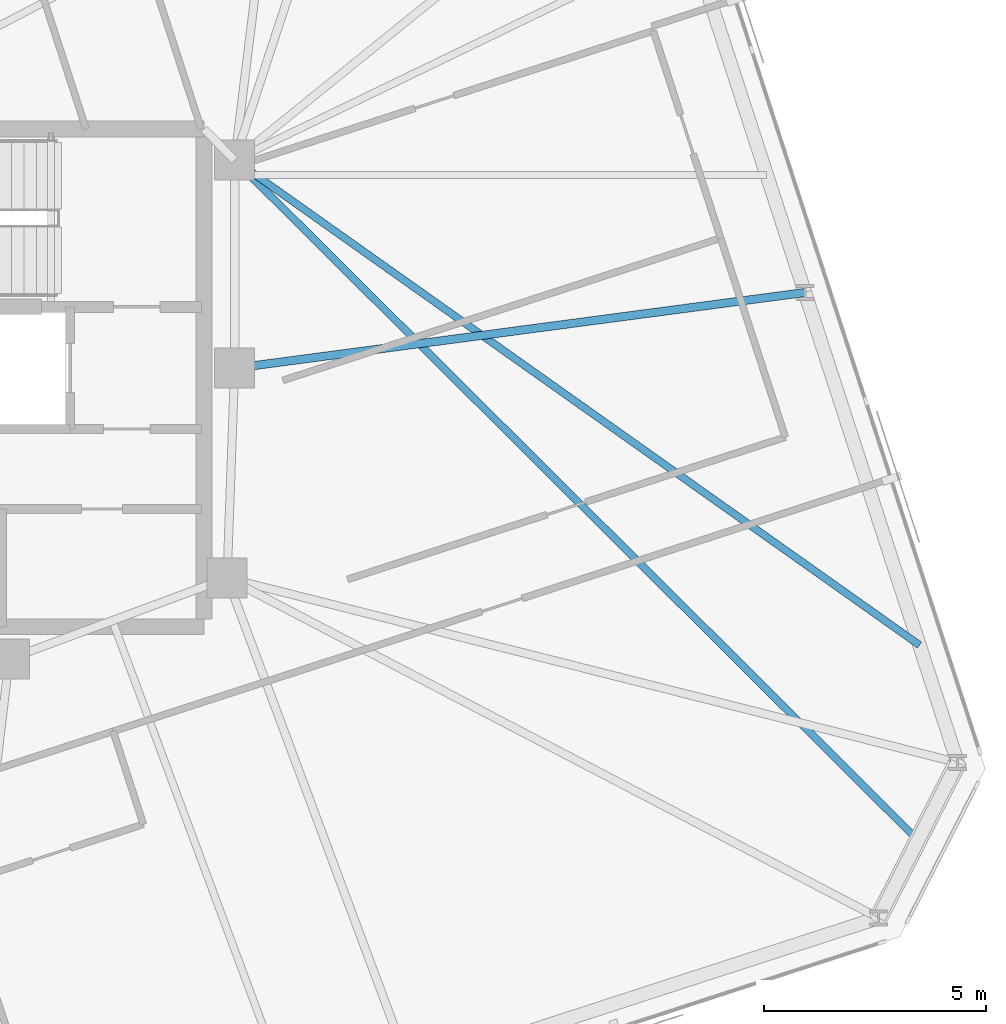
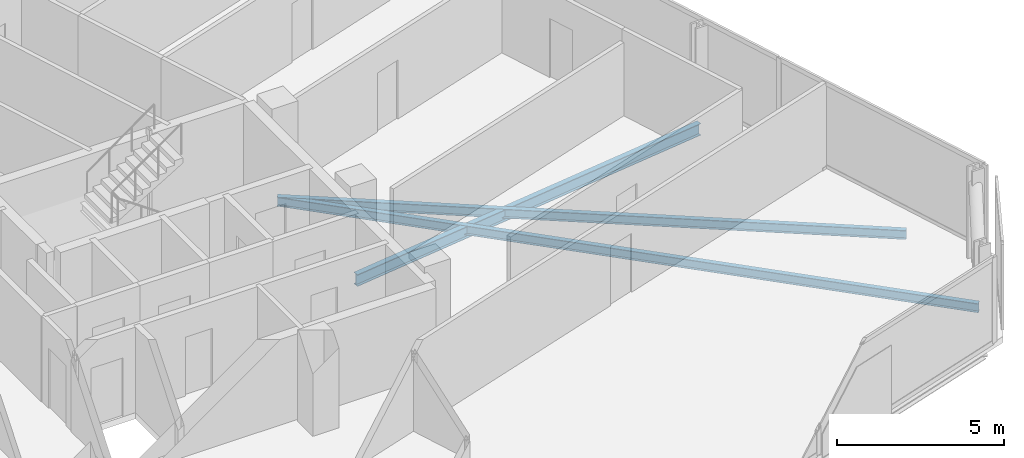
# One storey, part 8 of 20: 3 beams.
"""IFC4 building model written with IfcOpenShell, lengths in metres."""

import ifcopenshell
import ifcopenshell.guid

model = None  # the IFC model being written
_history = None  # IfcOwnerHistory: only IFC2X3 demands one
_inside = {}  # id of a spatial element -> (the spatial element, [elements in it])
_under = {}  # id of a project, library or spatial element -> (it, [spatial elements below it])
_declared = {}  # id of a project -> (the project, [libraries it declares])
_typed = {}  # id of a type object -> (the type object, [elements of that type])
_made_of = {}  # id of a material, layer set ... -> (it, [elements and type objects made of it])


def new_model(schema):
    """Start an empty IFC model of exactly this schema.

    Asked for "IFC4X3", IfcOpenShell would pick the latest addendum, in which some entities
    have other attributes; the version numbers below select the first issue.
    IFC2X3 requires an IfcOwnerHistory on every rooted entity: one is made here for all.
    """
    global model, _history
    if schema == "IFC4X3":
        model = ifcopenshell.file(schema_version=(4, 3, 0, 0))
    else:
        model = ifcopenshell.file(schema=schema)
    _inside.clear()
    _under.clear()
    _declared.clear()
    _typed.clear()
    _made_of.clear()
    _history = None
    if model.schema == "IFC2X3":
        org = make("IfcOrganization", Name="unknown")
        user = make(
            "IfcPersonAndOrganization",
            ThePerson=make("IfcPerson", FamilyName="unknown"),
            TheOrganization=org,
        )
        app = make(
            "IfcApplication",
            ApplicationDeveloper=org,
            Version="unknown",
            ApplicationFullName="unknown",
            ApplicationIdentifier="unknown",
        )
        _history = make(
            "IfcOwnerHistory",
            OwningUser=user,
            OwningApplication=app,
            ChangeAction="ADDED",
            CreationDate=0,
        )
    return model


def make(cls, **values):
    """One entity of the class cls with the attributes given. An attribute that is None is left unset."""
    return model.create_entity(
        cls, **{name: value for name, value in values.items() if value is not None}
    )


def rooted(cls, **values):
    """An entity with a GlobalId (a new one), such as an element, a storey or a relation."""
    return make(cls, GlobalId=ifcopenshell.guid.new(), OwnerHistory=_history, **values)


def si_unit(unit_type, name, prefix=None):
    """IfcSIUnit, for example si_unit("LENGTHUNIT", "METRE", prefix="MILLI")."""
    return make("IfcSIUnit", UnitType=unit_type, Prefix=prefix, Name=name)


def assignment(units):
    """IfcUnitAssignment: the units of a project."""
    return None if units is None else make("IfcUnitAssignment", Units=units)


def point(xyz):
    """IfcCartesianPoint."""
    return None if xyz is None else make("IfcCartesianPoint", Coordinates=xyz)


def direction(xyz):
    """IfcDirection."""
    return None if xyz is None else make("IfcDirection", DirectionRatios=xyz)


def frame(location, z_axis=None, x_axis=None):
    """IfcAxis2Placement3D, a coordinate frame: its origin and axes. An axis left out is left unset."""
    return make(
        "IfcAxis2Placement3D",
        Location=point(location),
        Axis=direction(z_axis),
        RefDirection=direction(x_axis),
    )


def frame_2d(location, x_axis=None):
    """IfcAxis2Placement2D, a coordinate frame in the plane: its origin and x axis."""
    return make(
        "IfcAxis2Placement2D", Location=point(location), RefDirection=direction(x_axis)
    )


def origin():
    """The frame at (0, 0, 0) with its axes left unset."""
    return frame((0.0, 0.0, 0.0))


def origin_2d():
    """The frame at (0, 0) in the plane with its x axis left unset."""
    return frame_2d((0.0, 0.0))


def place(relative_to, where):
    """IfcLocalPlacement: puts the frame where relative to a parent placement (None: the world)."""
    return make(
        "IfcLocalPlacement", PlacementRelTo=relative_to, RelativePlacement=where
    )


def context(
    kind, dimensions, precision=None, world=None, true_north=None, identifier=None
):
    """IfcGeometricRepresentationContext, for example the 3D "Model" context."""
    return make(
        "IfcGeometricRepresentationContext",
        ContextIdentifier=identifier,
        ContextType=kind,
        CoordinateSpaceDimension=dimensions,
        Precision=precision,
        WorldCoordinateSystem=world,
        TrueNorth=true_north,
    )


def subcontext(parent, identifier, kind, view, scale=None):
    """IfcGeometricRepresentationSubContext, for example "Body" below "Model"."""
    return make(
        "IfcGeometricRepresentationSubContext",
        ContextIdentifier=identifier,
        ContextType=kind,
        ParentContext=parent,
        TargetScale=scale,
        TargetView=view,
    )


def project(units=None, contexts=None):
    """IfcProject with its units and contexts."""
    return rooted(
        "IfcProject",
        Name="project",
        RepresentationContexts=contexts,
        UnitsInContext=assignment(units),
    )


def spatial(cls, under=None, at=None, **own):
    """A site, building, storey or space (cls), placed at a placement, below another one or the project."""
    s = rooted(cls, ObjectPlacement=at, **own)
    if under is not None:
        _under.setdefault(under.id(), (under, []))[1].append(s)
    return s


def profile(cls, at=None, kind="AREA", **sizes):
    """A parametric profile (cls). Its sizes go by their IFC names, for example OverallWidth=200.0."""
    return make(cls, ProfileType=kind, Position=at, **sizes)


def i_section(**sizes):
    """IfcIShapeProfileDef."""
    return profile("IfcIShapeProfileDef", **sizes)


def extrude(swept, where, along, depth):
    """IfcExtrudedAreaSolid: the profile swept, set in the frame where, extruded along a direction by depth."""
    return make(
        "IfcExtrudedAreaSolid",
        SweptArea=swept,
        Position=where,
        ExtrudedDirection=direction(along),
        Depth=depth,
    )


def shape(context_of_items, identifier, shape_type, items):
    """IfcShapeRepresentation: the items that make up one representation, for example the "Body"."""
    return make(
        "IfcShapeRepresentation",
        ContextOfItems=context_of_items,
        RepresentationIdentifier=identifier,
        RepresentationType=shape_type,
        Items=items,
    )


def material(Name=None, Category=None):
    """IfcMaterial."""
    return make("IfcMaterial", Name=Name, Category=Category)


def material_profile(
    of_material, cross_section, Name=None, Category=None, Priority=None
):
    """IfcMaterialProfile: a cross section and its material."""
    return make(
        "IfcMaterialProfile",
        Name=Name,
        Material=of_material,
        Profile=cross_section,
        Priority=Priority,
        Category=Category,
    )


def profile_set(profiles, Name=None, composite=None):
    """IfcMaterialProfileSet."""
    return make(
        "IfcMaterialProfileSet",
        Name=Name,
        MaterialProfiles=profiles,
        CompositeProfile=composite,
    )


def made_of(thing, what):
    """Note that an element or type object is made of a material, layer set ...; save() writes the relation."""
    if what is not None:
        _made_of.setdefault(what.id(), (what, []))[1].append(thing)
    return thing


def type_object(cls, material=None, **own):
    """A type object (cls), such as IfcWallType, which elements share."""
    return made_of(rooted(cls, **own), material)


def element(
    cls,
    number,
    at=None,
    inside=None,
    cuts=None,
    type_object=None,
    material=None,
    context=None,
    identifier="Body",
    shape_type=None,
    held_by="IfcProductDefinitionShape",
    body=None,
    shapes=None,
    **own,
):
    """One element of the class cls, such as IfcWall. Its Tag is "e" and its number.

    at: its placement. inside: the storey or other place that contains it. cuts: it is an
    opening in that element (IfcRelVoidsElement). A single representation is given by context,
    identifier, shape_type and body (its items); several are given by shapes. held_by: the class
    of the entity that holds the representations. save() writes the other relations.
    """
    e = rooted(cls, Tag="e%d" % number, ObjectPlacement=at, **own)
    if body is not None:
        shapes = [shape(context, identifier, shape_type, body)]
    if shapes is not None:
        e.Representation = make(held_by, Representations=shapes)
    if inside is not None:
        _inside.setdefault(inside.id(), (inside, []))[1].append(e)
    if cuts is not None:
        rooted(
            "IfcRelVoidsElement", RelatingBuildingElement=cuts, RelatedOpeningElement=e
        )
    if type_object is not None:
        _typed.setdefault(type_object.id(), (type_object, []))[1].append(e)
    return made_of(e, material)


def aggregate(whole, parts):
    """IfcRelAggregates: a whole, such as a stair, and the parts it consists of."""
    return rooted("IfcRelAggregates", RelatingObject=whole, RelatedObjects=parts)


def save(model, path):
    """Write the relations noted so far, then the file.

    IfcRelAggregates (storeys below a building ...), IfcRelContainedInSpatialStructure (elements
    in a storey), IfcRelDefinesByType, IfcRelAssociatesMaterial and IfcRelDeclares: one each for
    every whole, place, type object, material and project.
    """
    for whole, parts in _under.values():
        aggregate(whole, parts)
    for where, things in _inside.values():
        rooted(
            "IfcRelContainedInSpatialStructure",
            RelatedElements=things,
            RelatingStructure=where,
        )
    for kind, things in _typed.values():
        rooted("IfcRelDefinesByType", RelatedObjects=things, RelatingType=kind)
    for what, things in _made_of.values():
        rooted("IfcRelAssociatesMaterial", RelatedObjects=things, RelatingMaterial=what)
    for by, libraries in _declared.values():
        rooted("IfcRelDeclares", RelatingContext=by, RelatedDefinitions=libraries)
    model.write(path)


model = new_model("IFC4")

# Units and contexts
model_context = context("Model", 3, precision=1e-05, world=origin(), true_north=direction((0.0, 1.0)))
body_context = subcontext(model_context, "Body", "Model", "MODEL_VIEW")
ifc_project = project(units=[si_unit("LENGTHUNIT", "METRE"), si_unit("AREAUNIT", "SQUARE_METRE"), si_unit("VOLUMEUNIT", "CUBIC_METRE"), si_unit("PLANEANGLEUNIT", "RADIAN"), si_unit("MASSUNIT", "GRAM", prefix="KILO")], contexts=[model_context])

# Site, building, storey
site_placement = place(None, origin())
site = spatial("IfcSite", under=ifc_project, at=site_placement, CompositionType="ELEMENT")
building_placement = place(site_placement, origin())
building = spatial("IfcBuilding", under=site, at=building_placement, Name="Menara Jurai Vektor", CompositionType="ELEMENT")
storey_placement = place(building_placement, frame((0.0, 0.0, 244.39990234375)))
storey = spatial("IfcBuildingStorey", under=building, at=storey_placement, Name="L65", CompositionType="ELEMENT", Elevation=244.39990234375)

# Beams
ifc_material = material(Name="Steel S355", Category="steel")
ifc_material_profile_1 = material_profile(ifc_material, i_section(OverallWidth=0.18505859375, OverallDepth=0.429931640625, WebThickness=0.010986328125, FlangeThickness=0.01806640625, at=origin_2d()), Name="PG 430x185x76")
ifc_profile_set_1 = profile_set([ifc_material_profile_1], Name="Steel S355")
beam_type_1 = type_object("IfcBeamType", Name="STR-BM-430", PredefinedType="BEAM", material=ifc_profile_set_1)
beam_1_placement = place(storey_placement, frame((28.07763671875, 1.92236328125, -0.43994140625), z_axis=(-0.99130829243, -0.131559375797, 0.0), x_axis=(0.131559375797, -0.99130829243, 0.0)))
element("IfcBeam", 1, at=beam_1_placement, inside=storey, type_object=beam_type_1, Name="Radial Floor Girder L65-E2", PredefinedType="BEAM", context=body_context, shape_type="SweptSolid", body=[
    extrude(i_section(OverallWidth=0.18505859375, OverallDepth=0.429931640625, WebThickness=0.010986328125, FlangeThickness=0.01806640625, at=origin_2d()), origin(), (0.0, 0.0, 1.0), 12.940185546875),
])
ifc_material_profile_2 = material_profile(ifc_material, i_section(OverallWidth=0.1650390625, OverallDepth=0.330078125, WebThickness=0.009033203125, FlangeThickness=0.013916015625, at=origin_2d()), Name="PG 330x165x46")
ifc_profile_set_2 = profile_set([ifc_material_profile_2], Name="Steel S355")
beam_type_2 = type_object("IfcBeamType", Name="STR-JS-330", PredefinedType="JOIST", material=ifc_profile_set_2)
beam_2_placement = place(storey_placement, frame((30.62353515625, -10.398681640625, -0.389892578125), z_axis=(-0.70883256901, 0.705376771032, 0.0), x_axis=(-0.705376771032, -0.70883256901, 0.0)))
element("IfcBeam", 2, at=beam_2_placement, inside=storey, type_object=beam_type_2, Name="Radial Secondary Floor Joist L65-JS09", PredefinedType="JOIST", context=body_context, shape_type="SweptSolid", body=[
    extrude(i_section(OverallWidth=0.1650390625, OverallDepth=0.330078125, WebThickness=0.009033203125, FlangeThickness=0.013916015625, at=origin_2d()), origin(), (0.0, 0.0, 1.0), 21.6884765625),
])
beam_3_placement = place(storey_placement, frame((30.654296875, -6.00830078125, -0.389892578125), z_axis=(-0.816103783972, 0.577905367501, 0.0), x_axis=(-0.577905367501, -0.816103783972, 0.0)))
element("IfcBeam", 3, at=beam_3_placement, inside=storey, type_object=beam_type_2, Name="Radial Secondary Floor Joist L65-JS10", PredefinedType="JOIST", context=body_context, shape_type="SweptSolid", body=[
    extrude(i_section(OverallWidth=0.1650390625, OverallDepth=0.330078125, WebThickness=0.009033203125, FlangeThickness=0.013916015625, at=origin_2d()), origin(), (0.0, 0.0, 1.0), 18.87548828125),
])

save(model, "model.ifc")
